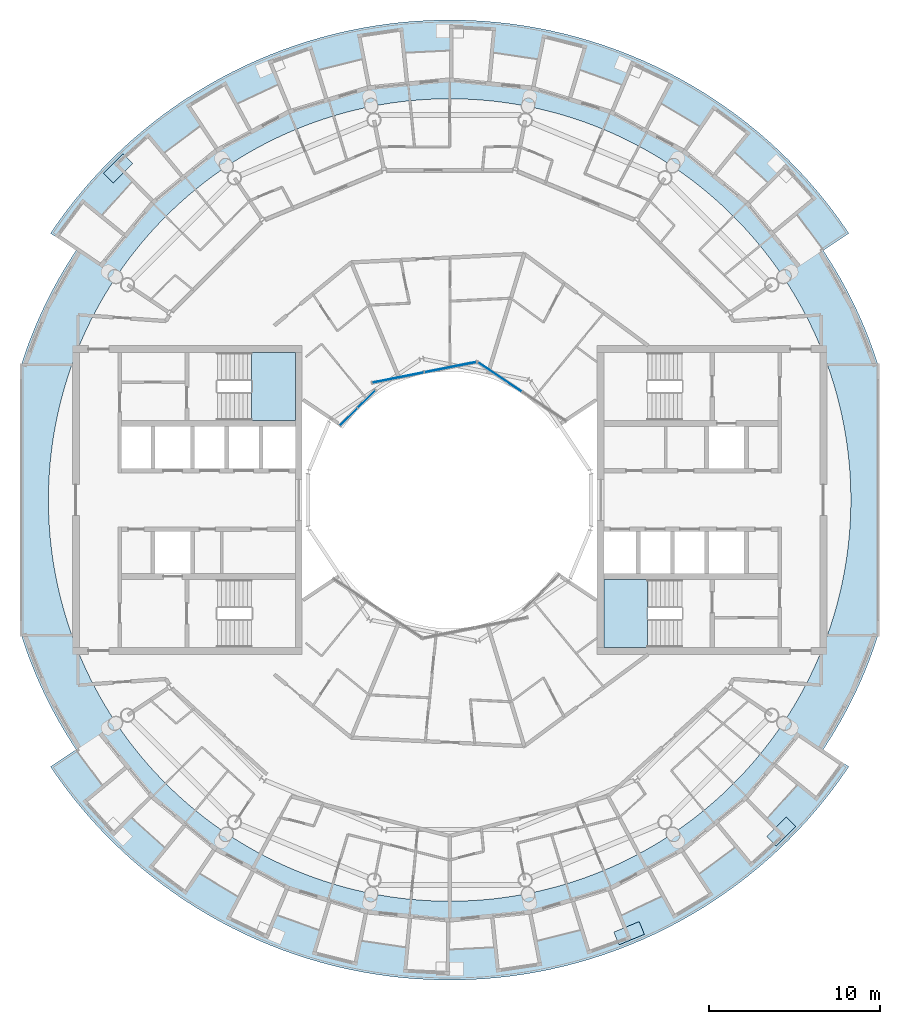
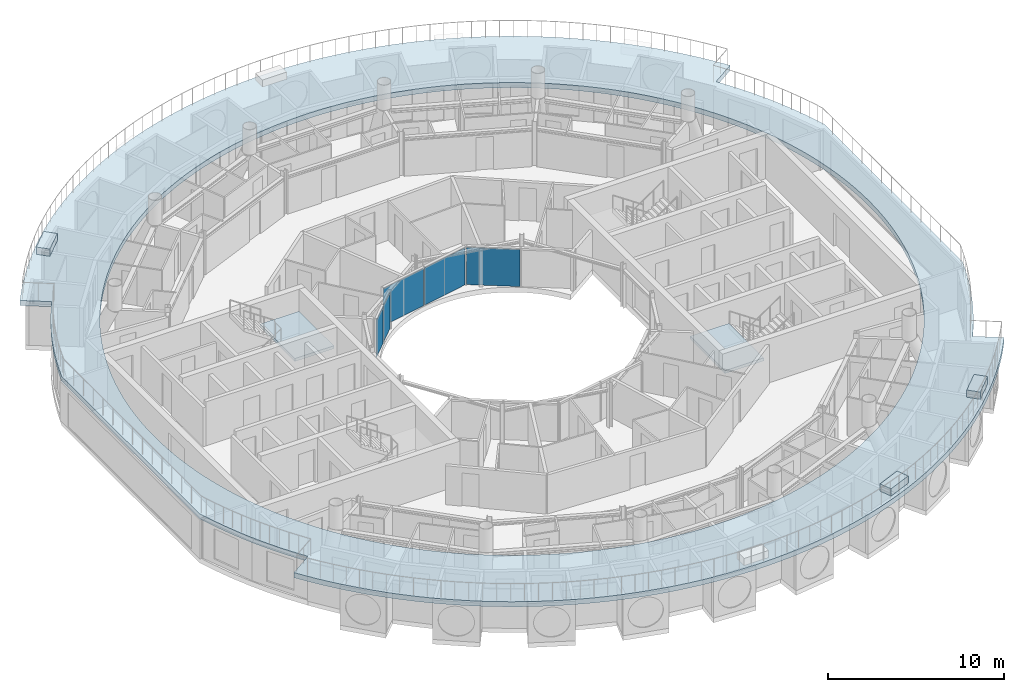
# One storey, part 10 of 25: 6 slabs, 5 plates, 5 elements without a shape of their own.
"""IFC4 building model written with IfcOpenShell, lengths in metres."""

from ifc_helpers import new_model, si_unit, direction, frame, origin, origin_2d, place, context, subcontext, project, spatial, polyline, rectangle, outline, extrude, material, layer, layer_set, type_object, element, aggregate, save


model = new_model("IFC4")

# Units and contexts
model_context = context("Model", 3, precision=1e-05, world=origin(), true_north=direction((0.0, 1.0)))
body_context = subcontext(model_context, "Body", "Model", "MODEL_VIEW")
ifc_project = project(units=[si_unit("LENGTHUNIT", "METRE"), si_unit("AREAUNIT", "SQUARE_METRE"), si_unit("VOLUMEUNIT", "CUBIC_METRE"), si_unit("PLANEANGLEUNIT", "RADIAN"), si_unit("MASSUNIT", "GRAM", prefix="KILO")], contexts=[model_context])

# Site, building, storey
site_placement = place(None, origin())
site = spatial("IfcSite", under=ifc_project, at=site_placement, CompositionType="ELEMENT")
building_placement = place(site_placement, origin())
building = spatial("IfcBuilding", under=site, at=building_placement, Name="Maasbend Ring Residences", CompositionType="ELEMENT")
storey_placement = place(building_placement, frame((0.0, 0.0, 246.25)))
storey = spatial("IfcBuildingStorey", under=building, at=storey_placement, Name="L71", CompositionType="ELEMENT", Elevation=246.25)

# Stair, slab
ifc_material_1 = material(Name="Concrete C40/50", Category="concrete")
stair_type = type_object("IfcStairType", Name="CORE STAIR 18 RISERS", PredefinedType="HALF_TURN_STAIR", material=ifc_material_1)
stair_1_placement = place(storey_placement, origin())
stair_1 = element("IfcStair", 1, at=stair_1_placement, inside=storey, type_object=stair_type, Name="L71 Exit stair ST-E2", PredefinedType="HALF_TURN_STAIR")
ifc_material_2 = material(Name="Concrete C40/50", Category="concrete")
ifc_layer_1 = layer(ifc_material_2, 0.199951171875)
ifc_layer_set_1 = layer_set([ifc_layer_1], Name="Concrete C40/50")
slab_type_1 = type_object("IfcSlabType", Name="CORE STAIR LANDING 200", PredefinedType="LANDING", material=ifc_layer_set_1)
slab_1_placement = place(storey_placement, frame((0.0, 0.0, 1.324951171875)))
slab_1 = element("IfcSlab", 2, at=slab_1_placement, type_object=slab_type_1, Name="ST-E2 landing 1", PredefinedType="LANDING", context=body_context, shape_type="SweptSolid", body=[
    extrude(outline(polyline([(11.550048828125, -4.64990234375), (9.0, -4.64990234375), (9.0, -8.60009765625), (11.550048828125, -8.60009765625), (11.550048828125, -4.64990234375)])), origin(), (0.0, 0.0, 1.0), 0.199951171875),
])
aggregate(stair_1, [slab_1])

stair_2_placement = place(storey_placement, origin())
stair_2 = element("IfcStair", 3, at=stair_2_placement, inside=storey, type_object=stair_type, Name="L71 Exit stair ST-W2", PredefinedType="HALF_TURN_STAIR")
slab_2_placement = place(storey_placement, frame((0.0, 0.0, 1.324951171875)))
slab_2 = element("IfcSlab", 4, at=slab_2_placement, type_object=slab_type_1, Name="ST-W2 landing 1", PredefinedType="LANDING", context=body_context, shape_type="SweptSolid", body=[
    extrude(outline(polyline([(-11.550048828125, 4.64990234375), (-9.0, 4.64990234375), (-9.0, 8.60009765625), (-11.550048828125, 8.60009765625), (-11.550048828125, 4.64990234375)])), origin(), (0.0, 0.0, 1.0), 0.199951171875),
])
aggregate(stair_2, [slab_2])

# Curtain wall, plate
ifc_material_3 = material(Name="Aluminium and clear glass", Category="aluminium")
ifc_layer_2 = layer(ifc_material_3, 0.179931640625)
ifc_layer_set_2 = layer_set([ifc_layer_2], Name="CW-W")
curtain_wall_type = type_object("IfcCurtainWallType", Name="CW-W", PredefinedType="NOTDEFINED", material=ifc_layer_set_2)
curtain_wall_1_placement = place(storey_placement, origin())
curtain_wall_1 = element("IfcCurtainWall", 5, at=curtain_wall_1_placement, inside=storey, type_object=curtain_wall_type, Name="Well curtain wall N1", PredefinedType="NOTDEFINED")
ifc_material_4 = material(Name="Glass clear laminated", Category="glass")
ifc_layer_3 = layer(ifc_material_4, 0.031982421875)
ifc_layer_set_3 = layer_set([ifc_layer_3], Name="CWP-W")
plate_type = type_object("IfcPlateType", Name="CWP-W", PredefinedType="CURTAIN_PANEL", material=ifc_layer_set_3)
plate_1_placement = place(storey_placement, frame((2.922119140625, 7.17578125, 0.0), z_axis=(0.0, 0.0, 1.0), x_axis=(-0.831469612303, 0.55557023302, 0.0)))
plate_1 = element("IfcPlate", 6, at=plate_1_placement, type_object=plate_type, Name="Glass panel well face", PredefinedType="CURTAIN_PANEL", context=body_context, shape_type="SweptSolid", body=[
    extrude(rectangle(XDim=3.053955078125, YDim=0.031982421875, at=origin_2d()), origin(), (0.0, 0.0, 1.0), 2.580078125),
])
aggregate(curtain_wall_1, [plate_1])

# Curtain wall, plates
curtain_wall_2_placement = place(storey_placement, origin())
curtain_wall_2 = element("IfcCurtainWall", 7, at=curtain_wall_2_placement, inside=storey, type_object=curtain_wall_type, Name="Well curtain wall N2", PredefinedType="NOTDEFINED")
plate_2_placement = place(storey_placement, frame((0.04638671875, 7.747802734375, 0.0), z_axis=(0.0, 0.0, 1.0), x_axis=(-0.980785280403, -0.195090322016, 0.0)))
plate_2 = element("IfcPlate", 8, at=plate_2_placement, type_object=plate_type, Name="Glass panel well face", PredefinedType="CURTAIN_PANEL", context=body_context, shape_type="SweptSolid", body=[
    extrude(rectangle(XDim=3.053955078125, YDim=0.031982421875, at=origin_2d()), origin(), (0.0, 0.0, 1.0), 2.580078125),
])
plate_3_placement = place(storey_placement, frame((-3.0078125, 7.140380859375, 0.0), z_axis=(0.0, 0.0, 1.0), x_axis=(-0.980785280403, -0.195090322016, 0.0)))
plate_3 = element("IfcPlate", 9, at=plate_3_placement, type_object=plate_type, Name="Glass panel well face", PredefinedType="CURTAIN_PANEL", context=body_context, shape_type="SweptSolid", body=[
    extrude(rectangle(XDim=3.053955078125, YDim=0.031982421875, at=origin_2d()), origin(), (0.0, 0.0, 1.0), 2.580078125),
])
aggregate(curtain_wall_2, [plate_2, plate_3])

curtain_wall_3_placement = place(storey_placement, origin())
curtain_wall_3 = element("IfcCurtainWall", 10, at=curtain_wall_3_placement, inside=storey, type_object=curtain_wall_type, Name="Well curtain wall N3", PredefinedType="NOTDEFINED")
plate_4_placement = place(storey_placement, frame((-4.84375, 5.89013671875, 0.0), z_axis=(0.0, 0.0, 1.0), x_axis=(-0.707106781187, -0.707106781187, 0.0)))
plate_4 = element("IfcPlate", 11, at=plate_4_placement, type_object=plate_type, Name="Glass panel well face", PredefinedType="CURTAIN_PANEL", context=body_context, shape_type="SweptSolid", body=[
    extrude(rectangle(XDim=1.419677734375, YDim=0.031982421875, at=origin_2d()), origin(), (0.0, 0.0, 1.0), 2.580078125),
])
plate_5_placement = place(storey_placement, frame((-5.89013671875, 4.84375, 0.0), z_axis=(0.0, 0.0, 1.0), x_axis=(-0.707106781187, -0.707106781187, 0.0)))
plate_5 = element("IfcPlate", 12, at=plate_5_placement, type_object=plate_type, Name="Glass panel well face", PredefinedType="CURTAIN_PANEL", context=body_context, shape_type="SweptSolid", body=[
    extrude(rectangle(XDim=1.419677734375, YDim=0.031982421875, at=origin_2d()), origin(), (0.0, 0.0, 1.0), 2.580078125),
])
aggregate(curtain_wall_3, [plate_4, plate_5])

# Slabs
ifc_material_5 = material(Name="Lawn and planting")
ifc_layer_4 = layer(ifc_material_5, 0.5)
ifc_layer_set_4 = layer_set([ifc_layer_4], Name="PLANTER-CT")
slab_type_2 = type_object("IfcSlabType", Name="PLANTER-CT", PredefinedType="USERDEFINED", material=ifc_layer_set_4)
slab_3_placement = place(storey_placement, frame((0.0, 0.0, 3.050048828125)))
element("IfcSlab", 13, at=slab_3_placement, inside=storey, type_object=slab_type_2, Name="Terrace planter 5", ObjectType="PLANTER", PredefinedType="USERDEFINED", context=body_context, shape_type="SweptSolid", body=[
    extrude(outline(polyline([(-19.056884765625, 20.18798828125), (-20.18798828125, 19.056884765625), (-19.6220703125, 18.490966796875), (-18.490966796875, 19.6220703125), (-19.056884765625, 20.18798828125)])), origin(), (0.0, 0.0, 1.0), 0.5),
])
slab_4_placement = place(storey_placement, frame((0.0, 0.0, 3.050048828125)))
element("IfcSlab", 14, at=slab_4_placement, inside=storey, type_object=slab_type_2, Name="Terrace planter 9", ObjectType="PLANTER", PredefinedType="USERDEFINED", context=body_context, shape_type="SweptSolid", body=[
    extrude(outline(polyline([(9.8798828125, -25.944091796875), (11.35888671875, -25.33203125), (11.052001953125, -24.592041015625), (9.573974609375, -25.205078125), (9.8798828125, -25.944091796875)])), origin(), (0.0, 0.0, 1.0), 0.5),
])
slab_5_placement = place(storey_placement, frame((0.0, 0.0, 3.050048828125)))
element("IfcSlab", 15, at=slab_5_placement, inside=storey, type_object=slab_type_2, Name="Terrace planter 10", ObjectType="PLANTER", PredefinedType="USERDEFINED", context=body_context, shape_type="SweptSolid", body=[
    extrude(outline(polyline([(19.056884765625, -20.18798828125), (20.18798828125, -19.056884765625), (19.6220703125, -18.490966796875), (18.490966796875, -19.6220703125), (19.056884765625, -20.18798828125)])), origin(), (0.0, 0.0, 1.0), 0.5),
])
ifc_material_6 = material(Name="Concrete C40/50", Category="concrete")
ifc_layer_5 = layer(ifc_material_6, 0.320068359375)
ifc_layer_set_5 = layer_set([ifc_layer_5], Name="Concrete C40/50")
slab_type_3 = type_object("IfcSlabType", Name="SL-TERR", PredefinedType="ROOF", material=ifc_layer_set_5)
slab_6_placement = place(storey_placement, frame((0.0, 0.0, 2.699951171875)))
element("IfcSlab", 16, at=slab_6_placement, inside=storey, type_object=slab_type_3, Name="Terrace roof L72", PredefinedType="ROOF", context=body_context, shape_type="SweptSolid", body=[
    extrude(outline(polyline([(21.869873046875, -17.484375), (21.363525390625, -18.099609375), (20.840087890625, -18.7001953125), (20.299560546875, -19.285400390625), (19.74267578125, -19.855224609375), (19.169677734375, -20.408935546875), (18.581298828125, -20.946044921875), (17.977783203125, -21.46630859375), (17.359619140625, -21.96923828125), (16.7275390625, -22.4541015625), (16.081787109375, -22.9208984375), (15.423095703125, -23.369384765625), (14.751953125, -23.798583984375), (14.06884765625, -24.208740234375), (13.37451171875, -24.599365234375), (12.669189453125, -24.969970703125), (11.95361328125, -25.3203125), (11.228271484375, -25.650146484375), (10.493896484375, -25.959228515625), (9.7509765625, -26.247314453125), (9.000244140625, -26.51416015625), (8.2421875, -26.75927734375), (7.4775390625, -26.983154296875), (6.706787109375, -27.184814453125), (5.9306640625, -27.36474609375), (5.149658203125, -27.5224609375), (4.364501953125, -27.65771484375), (3.57568359375, -27.770751953125), (2.7841796875, -27.861328125), (1.990234375, -27.92919921875), (1.19482421875, -27.974609375), (0.3984375, -27.9970703125), (-0.3984375, -27.9970703125), (-1.19482421875, -27.974609375), (-1.990234375, -27.92919921875), (-2.7841796875, -27.861328125), (-3.57568359375, -27.770751953125), (-4.364501953125, -27.65771484375), (-5.149658203125, -27.5224609375), (-5.9306640625, -27.36474609375), (-6.706787109375, -27.184814453125), (-7.4775390625, -26.983154296875), (-8.2421875, -26.75927734375), (-9.000244140625, -26.51416015625), (-9.7509765625, -26.247314453125), (-10.493896484375, -25.959228515625), (-11.228271484375, -25.650146484375), (-11.95361328125, -25.3203125), (-12.669189453125, -24.969970703125), (-13.37451171875, -24.599365234375), (-14.06884765625, -24.208740234375), (-14.751953125, -23.798583984375), (-15.423095703125, -23.369384765625), (-16.081787109375, -22.9208984375), (-16.7275390625, -22.4541015625), (-17.359619140625, -21.96923828125), (-17.977783203125, -21.46630859375), (-18.581298828125, -20.946044921875), (-19.169677734375, -20.408935546875), (-19.74267578125, -19.855224609375), (-20.299560546875, -19.285400390625), (-20.840087890625, -18.7001953125), (-21.363525390625, -18.099609375), (-21.869873046875, -17.484375), (-22.358642578125, -16.85498046875), (-22.8291015625, -16.212158203125), (-23.28125, -15.555908203125), (-21.784423828125, -14.555908203125), (-21.784423828125, -14.555908203125), (-22.13525390625, -14.016845703125), (-22.472412109375, -13.469482421875), (-22.79638671875, -12.913818359375), (-23.1064453125, -12.3505859375), (-23.402587890625, -11.77978515625), (-23.6845703125, -11.201904296875), (-23.952392578125, -10.617431640625), (-24.20556640625, -10.0263671875), (-24.4443359375, -9.42919921875), (-24.66845703125, -8.826416015625), (-24.877685546875, -8.218505859375), (-25.0, -7.832275390625), (-25.0, 7.832275390625), (-24.877685546875, 8.218505859375), (-24.66845703125, 8.826416015625), (-24.4443359375, 9.42919921875), (-24.20556640625, 10.0263671875), (-23.952392578125, 10.617431640625), (-23.6845703125, 11.201904296875), (-23.402587890625, 11.77978515625), (-23.1064453125, 12.3505859375), (-22.79638671875, 12.913818359375), (-22.472412109375, 13.469482421875), (-22.13525390625, 14.016845703125), (-21.784423828125, 14.555908203125), (-21.784423828125, 14.555908203125), (-23.28125, 15.555908203125), (-22.8291015625, 16.212158203125), (-22.358642578125, 16.85498046875), (-21.869873046875, 17.484375), (-21.363525390625, 18.099609375), (-20.840087890625, 18.7001953125), (-20.299560546875, 19.285400390625), (-19.74267578125, 19.855224609375), (-19.169677734375, 20.408935546875), (-18.581298828125, 20.946044921875), (-17.977783203125, 21.46630859375), (-17.359619140625, 21.96923828125), (-16.7275390625, 22.4541015625), (-16.081787109375, 22.9208984375), (-15.423095703125, 23.369384765625), (-14.751953125, 23.798583984375), (-14.06884765625, 24.208740234375), (-13.37451171875, 24.599365234375), (-12.669189453125, 24.969970703125), (-11.95361328125, 25.3203125), (-11.228271484375, 25.650146484375), (-10.493896484375, 25.959228515625), (-9.7509765625, 26.247314453125), (-9.000244140625, 26.51416015625), (-8.2421875, 26.75927734375), (-7.4775390625, 26.983154296875), (-6.706787109375, 27.184814453125), (-5.9306640625, 27.36474609375), (-5.149658203125, 27.5224609375), (-4.364501953125, 27.65771484375), (-3.57568359375, 27.770751953125), (-2.7841796875, 27.861328125), (-1.990234375, 27.92919921875), (-1.19482421875, 27.974609375), (-0.3984375, 27.9970703125), (0.3984375, 27.9970703125), (1.19482421875, 27.974609375), (1.990234375, 27.92919921875), (2.7841796875, 27.861328125), (3.57568359375, 27.770751953125), (4.364501953125, 27.65771484375), (5.149658203125, 27.5224609375), (5.9306640625, 27.36474609375), (6.706787109375, 27.184814453125), (7.4775390625, 26.983154296875), (8.2421875, 26.75927734375), (9.000244140625, 26.51416015625), (9.7509765625, 26.247314453125), (10.493896484375, 25.959228515625), (11.228271484375, 25.650146484375), (11.95361328125, 25.3203125), (12.669189453125, 24.969970703125), (13.37451171875, 24.599365234375), (14.06884765625, 24.208740234375), (14.751953125, 23.798583984375), (15.423095703125, 23.369384765625), (16.081787109375, 22.9208984375), (16.7275390625, 22.4541015625), (17.359619140625, 21.96923828125), (17.977783203125, 21.46630859375), (18.581298828125, 20.946044921875), (19.169677734375, 20.408935546875), (19.74267578125, 19.855224609375), (20.299560546875, 19.285400390625), (20.840087890625, 18.7001953125), (21.363525390625, 18.099609375), (21.869873046875, 17.484375), (22.358642578125, 16.85498046875), (22.8291015625, 16.212158203125), (23.28125, 15.555908203125), (21.784423828125, 14.555908203125), (22.13525390625, 14.016845703125), (22.472412109375, 13.469482421875), (22.79638671875, 12.913818359375), (23.1064453125, 12.3505859375), (23.402587890625, 11.77978515625), (23.6845703125, 11.201904296875), (23.952392578125, 10.617431640625), (24.20556640625, 10.0263671875), (24.4443359375, 9.42919921875), (24.66845703125, 8.826416015625), (24.877685546875, 8.218505859375), (25.0, 7.832275390625), (25.0, -7.832275390625), (24.877685546875, -8.218505859375), (24.66845703125, -8.826416015625), (24.4443359375, -9.42919921875), (24.20556640625, -10.0263671875), (23.952392578125, -10.617431640625), (23.6845703125, -11.201904296875), (23.402587890625, -11.77978515625), (23.1064453125, -12.3505859375), (22.79638671875, -12.913818359375), (22.472412109375, -13.469482421875), (22.13525390625, -14.016845703125), (21.784423828125, -14.555908203125), (23.28125, -15.555908203125), (22.8291015625, -16.212158203125), (22.358642578125, -16.85498046875), (21.869873046875, -17.484375)]), holes=[polyline([(23.384033203125, 0.861328125), (23.371826171875, 1.148193359375), (23.35595703125, 1.434814453125), (23.336669921875, 1.721435546875), (23.313720703125, 2.007568359375), (23.287353515625, 2.293701171875), (23.25732421875, 2.5791015625), (23.22412109375, 2.864501953125), (23.18701171875, 3.149169921875), (23.146728515625, 3.43359375), (23.102783203125, 3.71728515625), (23.055419921875, 4.00048828125), (23.004638671875, 4.283203125), (22.950439453125, 4.565185546875), (22.892578125, 4.846435546875), (22.83154296875, 5.126953125), (22.766845703125, 5.40673828125), (22.69873046875, 5.685791015625), (22.627197265625, 5.9638671875), (22.55224609375, 6.240966796875), (22.47412109375, 6.517333984375), (22.392333984375, 6.792724609375), (22.307373046875, 7.06689453125), (22.218994140625, 7.340087890625), (22.127197265625, 7.6123046875), (22.0322265625, 7.88330078125), (21.933837890625, 8.153076171875), (21.83203125, 8.421630859375), (21.72705078125, 8.688720703125), (21.618896484375, 8.954833984375), (21.50732421875, 9.219482421875), (21.392578125, 9.482666015625), (21.2744140625, 9.744384765625), (21.1533203125, 10.0048828125), (21.029052734375, 10.263671875), (20.9013671875, 10.52099609375), (20.770751953125, 10.776611328125), (20.636962890625, 11.03076171875), (20.5, 11.283203125), (20.360107421875, 11.533935546875), (20.217041015625, 11.78271484375), (20.07080078125, 12.030029296875), (19.921630859375, 12.275390625), (19.76953125, 12.51904296875), (19.614501953125, 12.760498046875), (19.456298828125, 13.000244140625), (19.29541015625, 13.238037109375), (19.131591796875, 13.473876953125), (18.964599609375, 13.707763671875), (18.795166015625, 13.939453125), (18.62255859375, 14.1689453125), (18.447265625, 14.396484375), (18.269287109375, 14.621826171875), (18.08837890625, 14.8447265625), (17.905029296875, 15.065673828125), (17.71875, 15.2841796875), (17.52978515625, 15.50048828125), (17.338134765625, 15.714599609375), (17.14404296875, 15.926025390625), (16.947265625, 16.13525390625), (16.748046875, 16.342041015625), (16.54638671875, 16.54638671875), (16.342041015625, 16.748046875), (16.13525390625, 16.947265625), (15.926025390625, 17.14404296875), (15.714599609375, 17.338134765625), (15.50048828125, 17.52978515625), (15.2841796875, 17.71875), (15.065673828125, 17.905029296875), (14.8447265625, 18.08837890625), (14.621826171875, 18.269287109375), (14.396484375, 18.447265625), (14.1689453125, 18.62255859375), (13.939453125, 18.795166015625), (13.707763671875, 18.964599609375), (13.473876953125, 19.131591796875), (13.238037109375, 19.29541015625), (13.000244140625, 19.456298828125), (12.760498046875, 19.614501953125), (12.51904296875, 19.76953125), (12.275390625, 19.921630859375), (12.030029296875, 20.07080078125), (11.78271484375, 20.217041015625), (11.533935546875, 20.360107421875), (11.283203125, 20.5), (11.03076171875, 20.636962890625), (10.776611328125, 20.770751953125), (10.52099609375, 20.9013671875), (10.263671875, 21.029052734375), (10.0048828125, 21.1533203125), (9.744384765625, 21.2744140625), (9.482666015625, 21.392578125), (9.219482421875, 21.50732421875), (8.954833984375, 21.618896484375), (8.688720703125, 21.72705078125), (8.421630859375, 21.83203125), (8.153076171875, 21.933837890625), (7.88330078125, 22.0322265625), (7.6123046875, 22.127197265625), (7.340087890625, 22.218994140625), (7.06689453125, 22.307373046875), (6.792724609375, 22.392333984375), (6.517333984375, 22.47412109375), (6.240966796875, 22.55224609375), (5.9638671875, 22.627197265625), (5.685791015625, 22.69873046875), (5.40673828125, 22.766845703125), (5.126953125, 22.83154296875), (4.846435546875, 22.892578125), (4.565185546875, 22.950439453125), (4.283203125, 23.004638671875), (4.00048828125, 23.055419921875), (3.71728515625, 23.102783203125), (3.43359375, 23.146728515625), (3.149169921875, 23.18701171875), (2.864501953125, 23.22412109375), (2.5791015625, 23.25732421875), (2.293701171875, 23.287353515625), (2.007568359375, 23.313720703125), (1.721435546875, 23.336669921875), (1.434814453125, 23.35595703125), (1.148193359375, 23.371826171875), (0.861328125, 23.384033203125), (0.57421875, 23.39306640625), (0.287109375, 23.398193359375), (0.0, 23.39990234375), (-0.287109375, 23.398193359375), (-0.57421875, 23.39306640625), (-0.861328125, 23.384033203125), (-1.148193359375, 23.371826171875), (-1.434814453125, 23.35595703125), (-1.721435546875, 23.336669921875), (-2.007568359375, 23.313720703125), (-2.293701171875, 23.287353515625), (-2.5791015625, 23.25732421875), (-2.864501953125, 23.22412109375), (-3.149169921875, 23.18701171875), (-3.43359375, 23.146728515625), (-3.71728515625, 23.102783203125), (-4.00048828125, 23.055419921875), (-4.283203125, 23.004638671875), (-4.565185546875, 22.950439453125), (-4.846435546875, 22.892578125), (-5.126953125, 22.83154296875), (-5.40673828125, 22.766845703125), (-5.685791015625, 22.69873046875), (-5.9638671875, 22.627197265625), (-6.240966796875, 22.55224609375), (-6.517333984375, 22.47412109375), (-6.792724609375, 22.392333984375), (-7.06689453125, 22.307373046875), (-7.340087890625, 22.218994140625), (-7.6123046875, 22.127197265625), (-7.88330078125, 22.0322265625), (-8.153076171875, 21.933837890625), (-8.421630859375, 21.83203125), (-8.688720703125, 21.72705078125), (-8.954833984375, 21.618896484375), (-9.219482421875, 21.50732421875), (-9.482666015625, 21.392578125), (-9.744384765625, 21.2744140625), (-10.0048828125, 21.1533203125), (-10.263671875, 21.029052734375), (-10.52099609375, 20.9013671875), (-10.776611328125, 20.770751953125), (-11.03076171875, 20.636962890625), (-11.283203125, 20.5), (-11.533935546875, 20.360107421875), (-11.78271484375, 20.217041015625), (-12.030029296875, 20.07080078125), (-12.275390625, 19.921630859375), (-12.51904296875, 19.76953125), (-12.760498046875, 19.614501953125), (-13.000244140625, 19.456298828125), (-13.238037109375, 19.29541015625), (-13.473876953125, 19.131591796875), (-13.707763671875, 18.964599609375), (-13.939453125, 18.795166015625), (-14.1689453125, 18.62255859375), (-14.396484375, 18.447265625), (-14.621826171875, 18.269287109375), (-14.8447265625, 18.08837890625), (-15.065673828125, 17.905029296875), (-15.2841796875, 17.71875), (-15.50048828125, 17.52978515625), (-15.714599609375, 17.338134765625), (-15.926025390625, 17.14404296875), (-16.13525390625, 16.947265625), (-16.342041015625, 16.748046875), (-16.54638671875, 16.54638671875), (-16.748046875, 16.342041015625), (-16.947265625, 16.13525390625), (-17.14404296875, 15.926025390625), (-17.338134765625, 15.714599609375), (-17.52978515625, 15.50048828125), (-17.71875, 15.2841796875), (-17.905029296875, 15.065673828125), (-18.08837890625, 14.8447265625), (-18.269287109375, 14.621826171875), (-18.447265625, 14.396484375), (-18.62255859375, 14.1689453125), (-18.795166015625, 13.939453125), (-18.964599609375, 13.707763671875), (-19.131591796875, 13.473876953125), (-19.29541015625, 13.238037109375), (-19.456298828125, 13.000244140625), (-19.614501953125, 12.760498046875), (-19.76953125, 12.51904296875), (-19.921630859375, 12.275390625), (-20.07080078125, 12.030029296875), (-20.217041015625, 11.78271484375), (-20.360107421875, 11.533935546875), (-20.5, 11.283203125), (-20.636962890625, 11.03076171875), (-20.770751953125, 10.776611328125), (-20.9013671875, 10.52099609375), (-21.029052734375, 10.263671875), (-21.1533203125, 10.0048828125), (-21.2744140625, 9.744384765625), (-21.392578125, 9.482666015625), (-21.50732421875, 9.219482421875), (-21.618896484375, 8.954833984375), (-21.72705078125, 8.688720703125), (-21.83203125, 8.421630859375), (-21.933837890625, 8.153076171875), (-22.0322265625, 7.88330078125), (-22.127197265625, 7.6123046875), (-22.218994140625, 7.340087890625), (-22.307373046875, 7.06689453125), (-22.392333984375, 6.792724609375), (-22.47412109375, 6.517333984375), (-22.55224609375, 6.240966796875), (-22.627197265625, 5.9638671875), (-22.69873046875, 5.685791015625), (-22.766845703125, 5.40673828125), (-22.83154296875, 5.126953125), (-22.892578125, 4.846435546875), (-22.950439453125, 4.565185546875), (-23.004638671875, 4.283203125), (-23.055419921875, 4.00048828125), (-23.102783203125, 3.71728515625), (-23.146728515625, 3.43359375), (-23.18701171875, 3.149169921875), (-23.22412109375, 2.864501953125), (-23.25732421875, 2.5791015625), (-23.287353515625, 2.293701171875), (-23.313720703125, 2.007568359375), (-23.336669921875, 1.721435546875), (-23.35595703125, 1.434814453125), (-23.371826171875, 1.148193359375), (-23.384033203125, 0.861328125), (-23.39306640625, 0.57421875), (-23.398193359375, 0.287109375), (-23.39990234375, 0.0), (-23.398193359375, -0.287109375), (-23.39306640625, -0.57421875), (-23.384033203125, -0.861328125), (-23.371826171875, -1.148193359375), (-23.35595703125, -1.434814453125), (-23.336669921875, -1.721435546875), (-23.313720703125, -2.007568359375), (-23.287353515625, -2.293701171875), (-23.25732421875, -2.5791015625), (-23.22412109375, -2.864501953125), (-23.18701171875, -3.149169921875), (-23.146728515625, -3.43359375), (-23.102783203125, -3.71728515625), (-23.055419921875, -4.00048828125), (-23.004638671875, -4.283203125), (-22.950439453125, -4.565185546875), (-22.892578125, -4.846435546875), (-22.83154296875, -5.126953125), (-22.766845703125, -5.40673828125), (-22.69873046875, -5.685791015625), (-22.627197265625, -5.9638671875), (-22.55224609375, -6.240966796875), (-22.47412109375, -6.517333984375), (-22.392333984375, -6.792724609375), (-22.307373046875, -7.06689453125), (-22.218994140625, -7.340087890625), (-22.127197265625, -7.6123046875), (-22.0322265625, -7.88330078125), (-21.933837890625, -8.153076171875), (-21.83203125, -8.421630859375), (-21.72705078125, -8.688720703125), (-21.618896484375, -8.954833984375), (-21.50732421875, -9.219482421875), (-21.392578125, -9.482666015625), (-21.2744140625, -9.744384765625), (-21.1533203125, -10.0048828125), (-21.029052734375, -10.263671875), (-20.9013671875, -10.52099609375), (-20.770751953125, -10.776611328125), (-20.636962890625, -11.03076171875), (-20.5, -11.283203125), (-20.360107421875, -11.533935546875), (-20.217041015625, -11.78271484375), (-20.07080078125, -12.030029296875), (-19.921630859375, -12.275390625), (-19.76953125, -12.51904296875), (-19.614501953125, -12.760498046875), (-19.456298828125, -13.000244140625), (-19.29541015625, -13.238037109375), (-19.131591796875, -13.473876953125), (-18.964599609375, -13.707763671875), (-18.795166015625, -13.939453125), (-18.62255859375, -14.1689453125), (-18.447265625, -14.396484375), (-18.269287109375, -14.621826171875), (-18.08837890625, -14.8447265625), (-17.905029296875, -15.065673828125), (-17.71875, -15.2841796875), (-17.52978515625, -15.50048828125), (-17.338134765625, -15.714599609375), (-17.14404296875, -15.926025390625), (-16.947265625, -16.13525390625), (-16.748046875, -16.342041015625), (-16.54638671875, -16.54638671875), (-16.342041015625, -16.748046875), (-16.13525390625, -16.947265625), (-15.926025390625, -17.14404296875), (-15.714599609375, -17.338134765625), (-15.50048828125, -17.52978515625), (-15.2841796875, -17.71875), (-15.065673828125, -17.905029296875), (-14.8447265625, -18.08837890625), (-14.621826171875, -18.269287109375), (-14.396484375, -18.447265625), (-14.1689453125, -18.62255859375), (-13.939453125, -18.795166015625), (-13.707763671875, -18.964599609375), (-13.473876953125, -19.131591796875), (-13.238037109375, -19.29541015625), (-13.000244140625, -19.456298828125), (-12.760498046875, -19.614501953125), (-12.51904296875, -19.76953125), (-12.275390625, -19.921630859375), (-12.030029296875, -20.07080078125), (-11.78271484375, -20.217041015625), (-11.533935546875, -20.360107421875), (-11.283203125, -20.5), (-11.03076171875, -20.636962890625), (-10.776611328125, -20.770751953125), (-10.52099609375, -20.9013671875), (-10.263671875, -21.029052734375), (-10.0048828125, -21.1533203125), (-9.744384765625, -21.2744140625), (-9.482666015625, -21.392578125), (-9.219482421875, -21.50732421875), (-8.954833984375, -21.618896484375), (-8.688720703125, -21.72705078125), (-8.421630859375, -21.83203125), (-8.153076171875, -21.933837890625), (-7.88330078125, -22.0322265625), (-7.6123046875, -22.127197265625), (-7.340087890625, -22.218994140625), (-7.06689453125, -22.307373046875), (-6.792724609375, -22.392333984375), (-6.517333984375, -22.47412109375), (-6.240966796875, -22.55224609375), (-5.9638671875, -22.627197265625), (-5.685791015625, -22.69873046875), (-5.40673828125, -22.766845703125), (-5.126953125, -22.83154296875), (-4.846435546875, -22.892578125), (-4.565185546875, -22.950439453125), (-4.283203125, -23.004638671875), (-4.00048828125, -23.055419921875), (-3.71728515625, -23.102783203125), (-3.43359375, -23.146728515625), (-3.149169921875, -23.18701171875), (-2.864501953125, -23.22412109375), (-2.5791015625, -23.25732421875), (-2.293701171875, -23.287353515625), (-2.007568359375, -23.313720703125), (-1.721435546875, -23.336669921875), (-1.434814453125, -23.35595703125), (-1.148193359375, -23.371826171875), (-0.861328125, -23.384033203125), (-0.57421875, -23.39306640625), (-0.287109375, -23.398193359375), (0.0, -23.39990234375), (0.287109375, -23.398193359375), (0.57421875, -23.39306640625), (0.861328125, -23.384033203125), (1.148193359375, -23.371826171875), (1.434814453125, -23.35595703125), (1.721435546875, -23.336669921875), (2.007568359375, -23.313720703125), (2.293701171875, -23.287353515625), (2.5791015625, -23.25732421875), (2.864501953125, -23.22412109375), (3.149169921875, -23.18701171875), (3.43359375, -23.146728515625), (3.71728515625, -23.102783203125), (4.00048828125, -23.055419921875), (4.283203125, -23.004638671875), (4.565185546875, -22.950439453125), (4.846435546875, -22.892578125), (5.126953125, -22.83154296875), (5.40673828125, -22.766845703125), (5.685791015625, -22.69873046875), (5.9638671875, -22.627197265625), (6.240966796875, -22.55224609375), (6.517333984375, -22.47412109375), (6.792724609375, -22.392333984375), (7.06689453125, -22.307373046875), (7.340087890625, -22.218994140625), (7.6123046875, -22.127197265625), (7.88330078125, -22.0322265625), (8.153076171875, -21.933837890625), (8.421630859375, -21.83203125), (8.688720703125, -21.72705078125), (8.954833984375, -21.618896484375), (9.219482421875, -21.50732421875), (9.482666015625, -21.392578125), (9.744384765625, -21.2744140625), (10.0048828125, -21.1533203125), (10.263671875, -21.029052734375), (10.52099609375, -20.9013671875), (10.776611328125, -20.770751953125), (11.03076171875, -20.636962890625), (11.283203125, -20.5), (11.533935546875, -20.360107421875), (11.78271484375, -20.217041015625), (12.030029296875, -20.07080078125), (12.275390625, -19.921630859375), (12.51904296875, -19.76953125), (12.760498046875, -19.614501953125), (13.000244140625, -19.456298828125), (13.238037109375, -19.29541015625), (13.473876953125, -19.131591796875), (13.707763671875, -18.964599609375), (13.939453125, -18.795166015625), (14.1689453125, -18.62255859375), (14.396484375, -18.447265625), (14.621826171875, -18.269287109375), (14.8447265625, -18.08837890625), (15.065673828125, -17.905029296875), (15.2841796875, -17.71875), (15.50048828125, -17.52978515625), (15.714599609375, -17.338134765625), (15.926025390625, -17.14404296875), (16.13525390625, -16.947265625), (16.342041015625, -16.748046875), (16.54638671875, -16.54638671875), (16.748046875, -16.342041015625), (16.947265625, -16.13525390625), (17.14404296875, -15.926025390625), (17.338134765625, -15.714599609375), (17.52978515625, -15.50048828125), (17.71875, -15.2841796875), (17.905029296875, -15.065673828125), (18.08837890625, -14.8447265625), (18.269287109375, -14.621826171875), (18.447265625, -14.396484375), (18.62255859375, -14.1689453125), (18.795166015625, -13.939453125), (18.964599609375, -13.707763671875), (19.131591796875, -13.473876953125), (19.29541015625, -13.238037109375), (19.456298828125, -13.000244140625), (19.614501953125, -12.760498046875), (19.76953125, -12.51904296875), (19.921630859375, -12.275390625), (20.07080078125, -12.030029296875), (20.217041015625, -11.78271484375), (20.360107421875, -11.533935546875), (20.5, -11.283203125), (20.636962890625, -11.03076171875), (20.770751953125, -10.776611328125), (20.9013671875, -10.52099609375), (21.029052734375, -10.263671875), (21.1533203125, -10.0048828125), (21.2744140625, -9.744384765625), (21.392578125, -9.482666015625), (21.50732421875, -9.219482421875), (21.618896484375, -8.954833984375), (21.72705078125, -8.688720703125), (21.83203125, -8.421630859375), (21.933837890625, -8.153076171875), (22.0322265625, -7.88330078125), (22.127197265625, -7.6123046875), (22.218994140625, -7.340087890625), (22.307373046875, -7.06689453125), (22.392333984375, -6.792724609375), (22.47412109375, -6.517333984375), (22.55224609375, -6.240966796875), (22.627197265625, -5.9638671875), (22.69873046875, -5.685791015625), (22.766845703125, -5.40673828125), (22.83154296875, -5.126953125), (22.892578125, -4.846435546875), (22.950439453125, -4.565185546875), (23.004638671875, -4.283203125), (23.055419921875, -4.00048828125), (23.102783203125, -3.71728515625), (23.146728515625, -3.43359375), (23.18701171875, -3.149169921875), (23.22412109375, -2.864501953125), (23.25732421875, -2.5791015625), (23.287353515625, -2.293701171875), (23.313720703125, -2.007568359375), (23.336669921875, -1.721435546875), (23.35595703125, -1.434814453125), (23.371826171875, -1.148193359375), (23.384033203125, -0.861328125), (23.39306640625, -0.57421875), (23.398193359375, -0.287109375), (23.39990234375, 0.0), (23.398193359375, 0.287109375), (23.39306640625, 0.57421875), (23.384033203125, 0.861328125)])]), origin(), (0.0, 0.0, 1.0), 0.35009765625),
])

save(model, "model.ifc")
